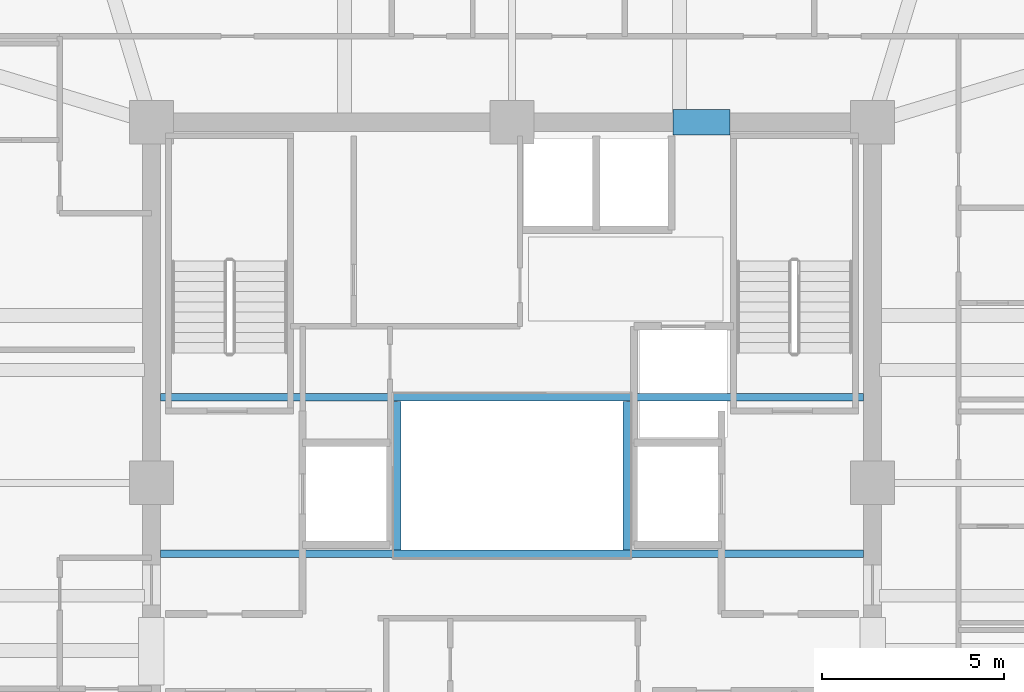
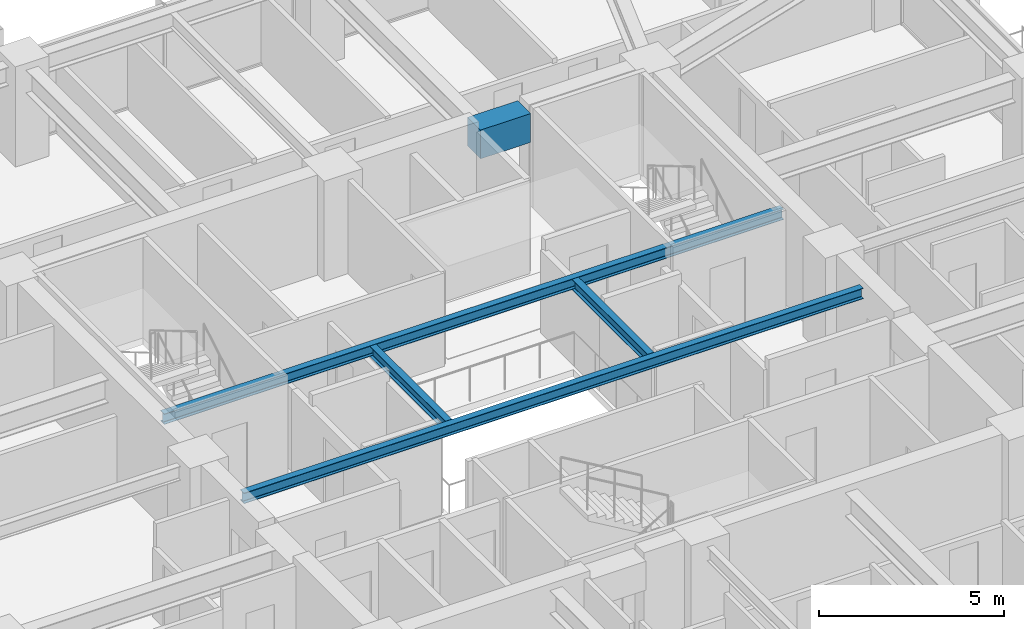
# One storey, part 12 of 35: 5 beams.
"""IFC4 building model written with IfcOpenShell, lengths in metres."""

from ifc_helpers import new_model, si_unit, direction, frame, origin, origin_2d, place, context, subcontext, project, spatial, rectangle, i_section, extrude, material, material_profile, profile_set, type_object, element, save


model = new_model("IFC4")

# Units and contexts
model_context = context("Model", 3, precision=1e-05, world=origin(), true_north=direction((0.0, 1.0)))
body_context = subcontext(model_context, "Body", "Model", "MODEL_VIEW")
ifc_project = project(units=[si_unit("LENGTHUNIT", "METRE"), si_unit("AREAUNIT", "SQUARE_METRE"), si_unit("VOLUMEUNIT", "CUBIC_METRE"), si_unit("PLANEANGLEUNIT", "RADIAN"), si_unit("MASSUNIT", "GRAM", prefix="KILO")], contexts=[model_context])

# Site, building, storey
site_placement = place(None, origin())
site = spatial("IfcSite", under=ifc_project, at=site_placement, CompositionType="ELEMENT")
building_placement = place(site_placement, origin())
building = spatial("IfcBuilding", under=site, at=building_placement, Name="Kolvaren Belvedere", CompositionType="ELEMENT")
storey_placement = place(building_placement, frame((0.0, 0.0, 115.10009765625)))
storey = spatial("IfcBuildingStorey", under=building, at=storey_placement, Name="L33", CompositionType="ELEMENT", Elevation=115.10009765625)

# Beams
ifc_material_1 = material(Name="Structural steel ASTM A992 Grade 50", Category="steel")
ifc_material_profile_1 = material_profile(ifc_material_1, i_section(OverallWidth=0.2041015625, OverallDepth=0.35009765625, WebThickness=0.008544921875, FlangeThickness=0.01513671875, FilletRadius=0.013916015625, at=origin_2d()), Name="W14X48")
ifc_profile_set_1 = profile_set([ifc_material_profile_1], Name="Structural steel ASTM A992 Grade 50")
beam_type_1 = type_object("IfcBeamType", Name="BM-ATRIUM-W14X48", PredefinedType="BEAM", material=ifc_profile_set_1)
for number, where, z_axis, x_axis, name in (
    (1, (-9.64990234375, -1.949951171875, 2.90478515625), (1.0, 0.0, 0.0), (0.0, 1.0, 0.0), "L33 Central Atrium South Girder AS"),
    (2, (-9.64990234375, 2.35009765625, 2.90478515625), (1.0, 0.0, 0.0), (0.0, 1.0, 0.0), "L33 Central Atrium North Girder AN"),
):
    element("IfcBeam", number, at=place(storey_placement, frame(where, z_axis=z_axis, x_axis=x_axis)), inside=storey, type_object=beam_type_1, Name=name, PredefinedType="BEAM", context=body_context, shape_type="SweptSolid", body=[
        extrude(i_section(OverallWidth=0.2041015625, OverallDepth=0.35009765625, WebThickness=0.008544921875, FlangeThickness=0.01513671875, FilletRadius=0.013916015625, at=origin_2d()), origin(), (0.0, 0.0, 1.0), 19.2998046875),
    ])
for number, where, z_axis, x_axis, name in (
    (3, (-3.14990234375, -1.840087890625, 2.90478515625), (0.0, 1.0, 0.0), (-1.0, 0.0, 0.0), "L33 Central Atrium West Edge Beam AW"),
    (4, (3.14990234375, -1.840087890625, 2.90478515625), (0.0, 1.0, 0.0), (-1.0, 0.0, 0.0), "L33 Central Atrium East Edge Beam AE"),
):
    element("IfcBeam", number, at=place(storey_placement, frame(where, z_axis=z_axis, x_axis=x_axis)), inside=storey, type_object=beam_type_1, Name=name, PredefinedType="BEAM", context=body_context, shape_type="SweptSolid", body=[
        extrude(i_section(OverallWidth=0.2041015625, OverallDepth=0.35009765625, WebThickness=0.008544921875, FlangeThickness=0.01513671875, FilletRadius=0.013916015625, at=origin_2d()), origin(), (0.0, 0.0, 1.0), 4.080078125),
    ])
ifc_material_2 = material(Name="Concrete C60/75", Category="concrete")
ifc_material_profile_2 = material_profile(ifc_material_2, rectangle(XDim=0.699951171875, YDim=0.949951171875, at=origin_2d()), Name="RC 700X950")
ifc_profile_set_2 = profile_set([ifc_material_profile_2], Name="Concrete C60/75")
beam_type_2 = type_object("IfcBeamType", Name="BM-LINT-950", PredefinedType="LINTEL", material=ifc_profile_set_2)
beam_placement = place(storey_placement, frame((4.419921875, 9.89990234375, 2.60498046875), z_axis=(1.0, 0.0, 0.0), x_axis=(0.0, 1.0, 0.0)))
element("IfcBeam", 5, at=beam_placement, inside=storey, type_object=beam_type_2, Name="L33 North Core Coupling Lintel", PredefinedType="LINTEL", context=body_context, shape_type="SweptSolid", body=[
    extrude(rectangle(XDim=0.699951171875, YDim=0.949951171875, at=origin_2d()), origin(), (0.0, 0.0, 1.0), 1.56005859375),
])

save(model, "model.ifc")
